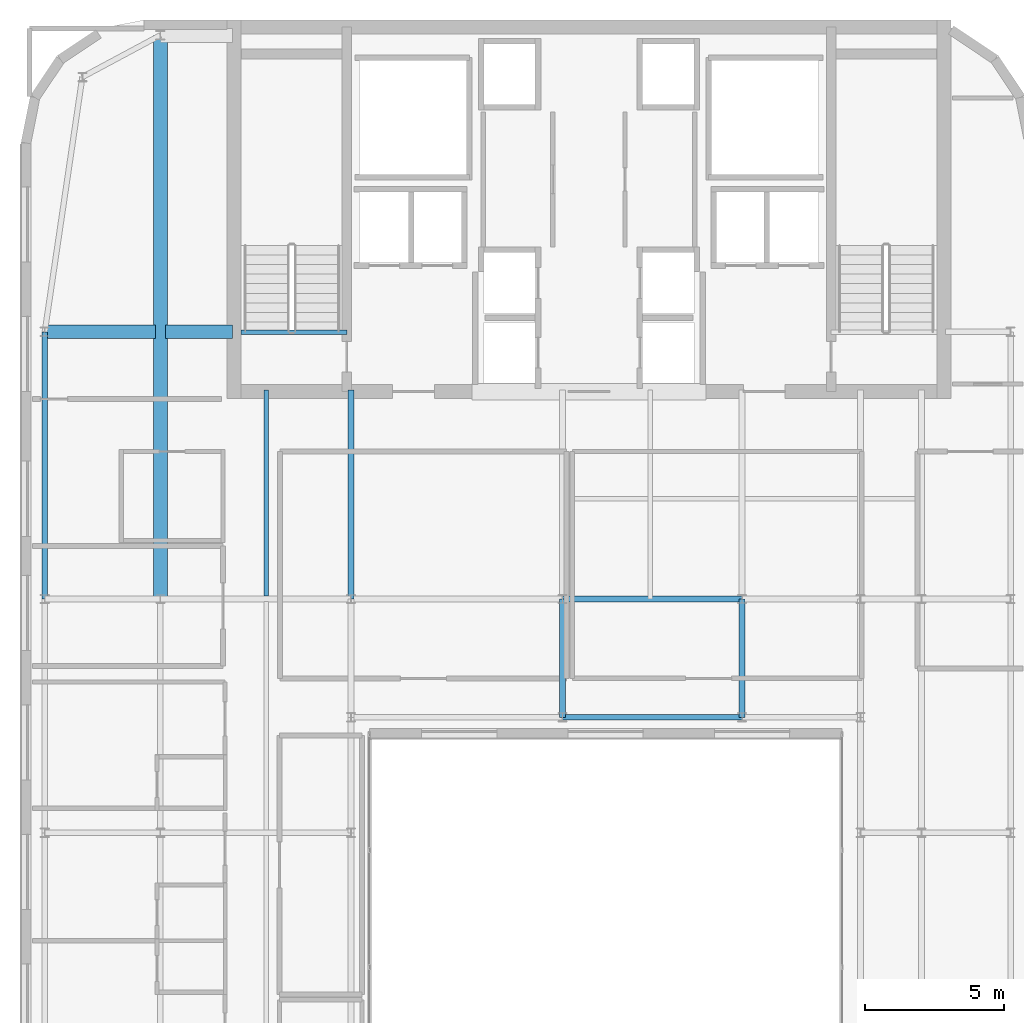
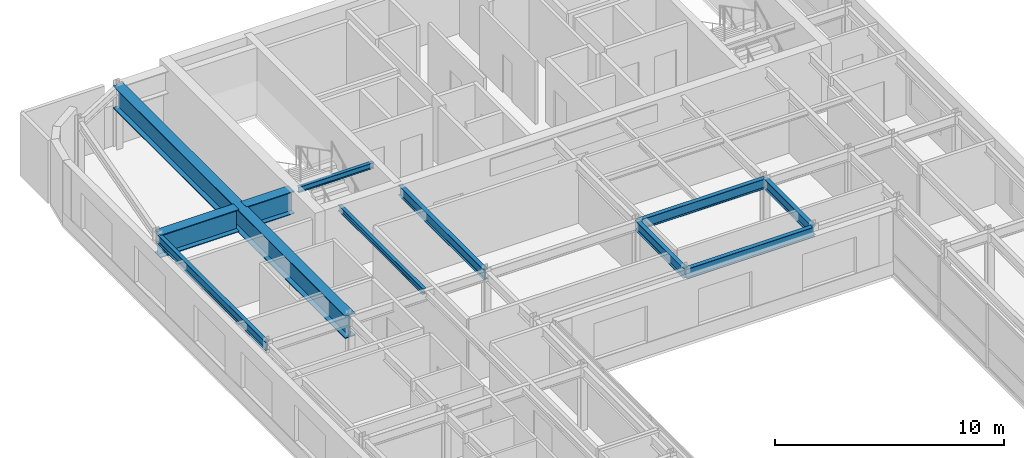
# One storey, part 10 of 20: 11 beams.
"""IFC4 building model written with IfcOpenShell, lengths in metres."""

from ifc_helpers import new_model, si_unit, direction, frame, origin, origin_2d, place, context, subcontext, project, spatial, i_section, extrude, source, transform, mapped, material, material_profile, profile_set, type_object, type_shapes, element, save


model = new_model("IFC4")

# Units and contexts
model_context = context("Model", 3, precision=1e-05, world=origin(), true_north=direction((0.0, 1.0)))
body_context = subcontext(model_context, "Body", "Model", "MODEL_VIEW")
ifc_project = project(units=[si_unit("LENGTHUNIT", "METRE"), si_unit("AREAUNIT", "SQUARE_METRE"), si_unit("VOLUMEUNIT", "CUBIC_METRE"), si_unit("PLANEANGLEUNIT", "RADIAN"), si_unit("MASSUNIT", "GRAM", prefix="KILO")], contexts=[model_context])

# Site, building, storey
site_placement = place(None, origin())
site = spatial("IfcSite", under=ifc_project, at=site_placement, CompositionType="ELEMENT")
building_placement = place(site_placement, origin())
building = spatial("IfcBuilding", under=site, at=building_placement, Name="Tolvann Quenvar Hotel", CompositionType="ELEMENT")
storey_placement = place(building_placement, frame((0.0, 0.0, 248.75)))
storey = spatial("IfcBuildingStorey", under=building, at=storey_placement, Name="L66", CompositionType="ELEMENT", Elevation=248.75)

# Beams
ifc_material = material(Name="Steel Grade 350", Category="steel")
ifc_material_profile_1 = material_profile(ifc_material, i_section(OverallWidth=0.5, OverallDepth=1.199951171875, WebThickness=0.01611328125, FlangeThickness=0.0400390625, at=origin_2d()), Name="1200WB455")
ifc_profile_set_1 = profile_set([ifc_material_profile_1], Name="Steel Grade 350")
beam_type_1 = type_object("IfcBeamType", Name="BM_TG_1200WB455", PredefinedType="USERDEFINED", material=ifc_profile_set_1)
shared_shape_1 = source(origin(), body_context, "Body", "SweptSolid", [
    extrude(i_section(OverallWidth=0.5, OverallDepth=1.199951171875, WebThickness=0.01611328125, FlangeThickness=0.0400390625, at=origin_2d()), origin(), (0.0, 0.0, 1.0), 2.419921875),
])
beam_1_placement = place(storey_placement, frame((7.780029296875, 34.0, 2.77001953125), z_axis=(1.0, 0.0, 0.0), x_axis=(0.0, 1.0, 0.0)))
element("IfcBeam", 1, at=beam_1_placement, inside=storey, type_object=beam_type_1, Name="BM-L66-CTW-MID2", ObjectType="TRANSFER GIRDER", PredefinedType="USERDEFINED", context=body_context, shape_type="MappedRepresentation", body=[
    mapped(shared_shape_1, transform((0.0, 0.0, 0.0), x_axis=(1.0, 0.0, 0.0), y_axis=(0.0, 1.0, 0.0), z_axis=(0.0, 0.0, 1.0), scale=1.0)),
])
ifc_material_profile_2 = material_profile(ifc_material, i_section(OverallWidth=0.166015625, OverallDepth=0.306884765625, WebThickness=0.006591796875, FlangeThickness=0.01171875, FilletRadius=0.011474609375, at=origin_2d()), Name="310UB46")
ifc_profile_set_2 = profile_set([ifc_material_profile_2], Name="Steel Grade 350")
beam_type_2 = type_object("IfcBeamType", Name="BM_JOIST_310UB46", PredefinedType="JOIST", material=ifc_profile_set_2)
shared_shape_2 = source(origin(), body_context, "Body", "SweptSolid", [
    extrude(i_section(OverallWidth=0.166015625, OverallDepth=0.306884765625, WebThickness=0.006591796875, FlangeThickness=0.01171875, FilletRadius=0.011474609375, at=origin_2d()), origin(), (0.0, 0.0, 1.0), 3.800048828125),
])
beam_2_placement = place(storey_placement, frame((10.5, 33.97998046875, 3.216552734375), z_axis=(1.0, 0.0, 0.0), x_axis=(0.0, 1.0, 0.0)))
element("IfcBeam", 2, at=beam_2_placement, inside=storey, type_object=beam_type_2, Name="BM-HDR-STC1-L67", PredefinedType="JOIST", context=body_context, shape_type="MappedRepresentation", body=[
    mapped(shared_shape_2, transform((0.0, 0.0, 0.0), x_axis=(1.0, 0.0, 0.0), y_axis=(0.0, 1.0, 0.0), z_axis=(0.0, 0.0, 1.0), scale=1.0)),
])
shared_shape_3 = source(origin(), body_context, "Body", "SweptSolid", [
    extrude(i_section(OverallWidth=0.5, OverallDepth=1.199951171875, WebThickness=0.01611328125, FlangeThickness=0.0400390625, at=origin_2d()), origin(), (0.0, 0.0, 1.0), 3.969970703125),
])
beam_3_placement = place(storey_placement, frame((3.449951171875, 34.0, 2.77001953125), z_axis=(1.0, 0.0, 0.0), x_axis=(0.0, 1.0, 0.0)))
element("IfcBeam", 3, at=beam_3_placement, inside=storey, type_object=beam_type_1, Name="BM-L66-CTW-MID1", ObjectType="TRANSFER GIRDER", PredefinedType="USERDEFINED", context=body_context, shape_type="MappedRepresentation", body=[
    mapped(shared_shape_3, transform((0.0, 0.0, 0.0), x_axis=(1.0, 0.0, 0.0), y_axis=(0.0, 1.0, 0.0), z_axis=(0.0, 0.0, 1.0), scale=1.0)),
])
ifc_material_profile_3 = material_profile(ifc_material, i_section(OverallWidth=0.19091796875, OverallDepth=0.4599609375, WebThickness=0.010009765625, FlangeThickness=0.01611328125, FilletRadius=0.011474609375, at=origin_2d()), Name="460UB82")
ifc_profile_set_3 = profile_set([ifc_material_profile_3], Name="Steel Grade 350")
beam_type_3 = type_object("IfcBeamType", Name="BM_SPAND_460UB82", PredefinedType="SPANDREL", material=ifc_profile_set_3)
shared_shape_4 = source(origin(), body_context, "Body", "SweptSolid", [
    extrude(i_section(OverallWidth=0.19091796875, OverallDepth=0.4599609375, WebThickness=0.010009765625, FlangeThickness=0.01611328125, FilletRadius=0.011474609375, at=origin_2d()), origin(), (0.0, 0.0, 1.0), 9.60009765625),
])
type_shapes(beam_type_3, [shared_shape_4])
beam_4_placement = place(storey_placement, frame((3.449951171875, 24.39990234375, 3.139892578125), z_axis=(0.0, 1.0, 0.0), x_axis=(-1.0, 0.0, 0.0)))
element("IfcBeam", 4, at=beam_4_placement, inside=storey, type_object=beam_type_3, Name="BM-L66-FLK-W1", PredefinedType="SPANDREL", context=body_context, shape_type="MappedRepresentation", body=[
    mapped(shared_shape_4, transform((0.0, 0.0, 0.0), x_axis=(1.0, 0.0, 0.0), y_axis=(0.0, 1.0, 0.0), z_axis=(0.0, 0.0, 1.0), scale=1.0)),
])
shared_shape_5 = source(origin(), body_context, "Body", "SweptSolid", [
    extrude(i_section(OverallWidth=0.5, OverallDepth=1.199951171875, WebThickness=0.01611328125, FlangeThickness=0.0400390625, at=origin_2d()), origin(), (0.0, 0.0, 1.0), 20.25),
])
type_shapes(beam_type_1, [shared_shape_1, shared_shape_3, shared_shape_5])
beam_5_placement = place(storey_placement, frame((7.60009765625, 24.39990234375, 2.77001953125), z_axis=(0.0, 1.0, 0.0), x_axis=(-1.0, 0.0, 0.0)))
element("IfcBeam", 5, at=beam_5_placement, inside=storey, type_object=beam_type_1, Name="BM-L66-FLK-WC", ObjectType="TRANSFER GIRDER", PredefinedType="USERDEFINED", context=body_context, shape_type="MappedRepresentation", body=[
    mapped(shared_shape_5, transform((0.0, 0.0, 0.0), x_axis=(1.0, 0.0, 0.0), y_axis=(0.0, 1.0, 0.0), z_axis=(0.0, 0.0, 1.0), scale=1.0)),
])
ifc_material_profile_4 = material_profile(ifc_material, i_section(OverallWidth=0.208984375, OverallDepth=0.532958984375, WebThickness=0.01025390625, FlangeThickness=0.015625, FilletRadius=0.013916015625, at=origin_2d()), Name="530UB92")
ifc_profile_set_4 = profile_set([ifc_material_profile_4], Name="Steel Grade 350")
beam_type_4 = type_object("IfcBeamType", Name="BM_GIRD_530UB92", PredefinedType="BEAM", material=ifc_profile_set_4)
shared_shape_6 = source(origin(), body_context, "Body", "SweptSolid", [
    extrude(i_section(OverallWidth=0.208984375, OverallDepth=0.532958984375, WebThickness=0.01025390625, FlangeThickness=0.015625, FilletRadius=0.013916015625, at=origin_2d()), origin(), (0.0, 0.0, 1.0), 6.449951171875),
])
for number, where, z_axis, x_axis, name in (
    (6, (22.050048828125, 20.14990234375, 3.103515625), (1.0, 0.0, 0.0), (0.0, 1.0, 0.0), "BM-L66-EW-4P-E4P-M4P"),
    (7, (22.050048828125, 24.39990234375, 3.103515625), (1.0, 0.0, 0.0), (0.0, 1.0, 0.0), "BM-L66-EW-5-E5-M5"),
):
    element("IfcBeam", number, at=place(storey_placement, frame(where, z_axis=z_axis, x_axis=x_axis)), inside=storey, type_object=beam_type_4, Name=name, PredefinedType="BEAM", context=body_context, shape_type="MappedRepresentation", body=[
        mapped(shared_shape_6, transform((0.0, 0.0, 0.0), x_axis=(1.0, 0.0, 0.0), y_axis=(0.0, 1.0, 0.0), z_axis=(0.0, 0.0, 1.0), scale=1.0)),
    ])
shared_shape_7 = source(origin(), body_context, "Body", "SweptSolid", [
    extrude(i_section(OverallWidth=0.208984375, OverallDepth=0.532958984375, WebThickness=0.01025390625, FlangeThickness=0.015625, FilletRadius=0.013916015625, at=origin_2d()), origin(), (0.0, 0.0, 1.0), 4.25),
])
for number, where, z_axis, x_axis, name in (
    (8, (22.050048828125, 20.14990234375, 3.103515625), (0.0, 1.0, 0.0), (-1.0, 0.0, 0.0), "BM-L66-NS-E4P-E5"),
    (9, (28.5, 20.14990234375, 3.103515625), (0.0, 1.0, 0.0), (-1.0, 0.0, 0.0), "BM-L66-NS-M4P-M5"),
):
    element("IfcBeam", number, at=place(storey_placement, frame(where, z_axis=z_axis, x_axis=x_axis)), inside=storey, type_object=beam_type_4, Name=name, PredefinedType="BEAM", context=body_context, shape_type="MappedRepresentation", body=[
        mapped(shared_shape_7, transform((0.0, 0.0, 0.0), x_axis=(1.0, 0.0, 0.0), y_axis=(0.0, 1.0, 0.0), z_axis=(0.0, 0.0, 1.0), scale=1.0)),
    ])
shared_shape_8 = source(origin(), body_context, "Body", "SweptSolid", [
    extrude(i_section(OverallWidth=0.208984375, OverallDepth=0.532958984375, WebThickness=0.01025390625, FlangeThickness=0.015625, FilletRadius=0.013916015625, at=origin_2d()), origin(), (0.0, 0.0, 1.0), 7.5),
])
type_shapes(beam_type_4, [shared_shape_6, shared_shape_7, shared_shape_8])
beam_6_placement = place(storey_placement, frame((14.449951171875, 24.39990234375, 3.103515625), z_axis=(0.0, 1.0, 0.0), x_axis=(-1.0, 0.0, 0.0)))
element("IfcBeam", 10, at=beam_6_placement, inside=storey, type_object=beam_type_4, Name="BM-L66-CORE-D5", PredefinedType="BEAM", context=body_context, shape_type="MappedRepresentation", body=[
    mapped(shared_shape_8, transform((0.0, 0.0, 0.0), x_axis=(1.0, 0.0, 0.0), y_axis=(0.0, 1.0, 0.0), z_axis=(0.0, 0.0, 1.0), scale=1.0)),
])
shared_shape_9 = source(origin(), body_context, "Body", "SweptSolid", [
    extrude(i_section(OverallWidth=0.166015625, OverallDepth=0.306884765625, WebThickness=0.006591796875, FlangeThickness=0.01171875, FilletRadius=0.011474609375, at=origin_2d()), origin(), (0.0, 0.0, 1.0), 7.4013671875),
])
type_shapes(beam_type_2, [shared_shape_2, shared_shape_9])
beam_7_placement = place(storey_placement, frame((11.39990234375, 24.49853515625, 3.216552734375), z_axis=(0.0, 1.0, 0.0), x_axis=(-1.0, 0.0, 0.0)))
element("IfcBeam", 11, at=beam_7_placement, inside=storey, type_object=beam_type_2, Name="BJ-L66-114-244", PredefinedType="JOIST", context=body_context, shape_type="MappedRepresentation", body=[
    mapped(shared_shape_9, transform((0.0, 0.0, 0.0), x_axis=(1.0, 0.0, 0.0), y_axis=(0.0, 1.0, 0.0), z_axis=(0.0, 0.0, 1.0), scale=1.0)),
])

save(model, "model.ifc")
